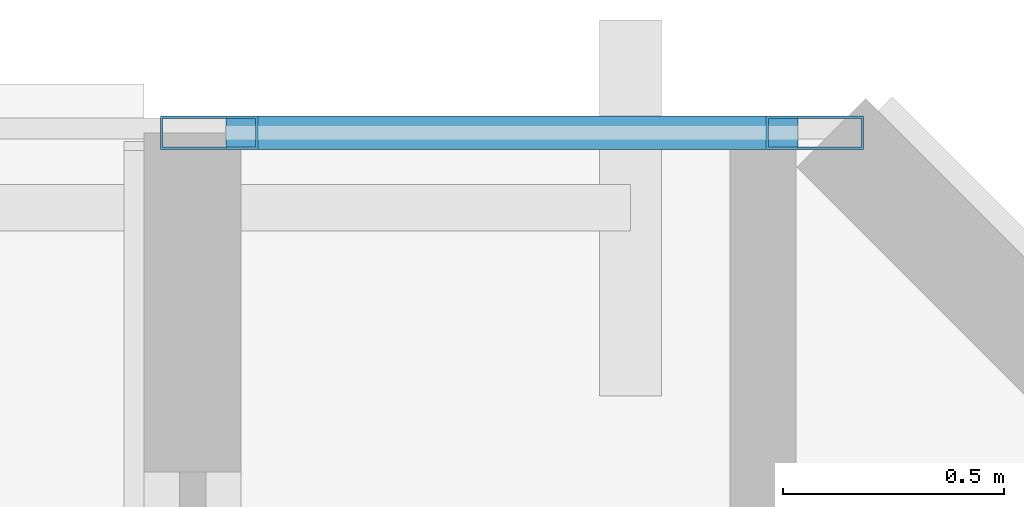
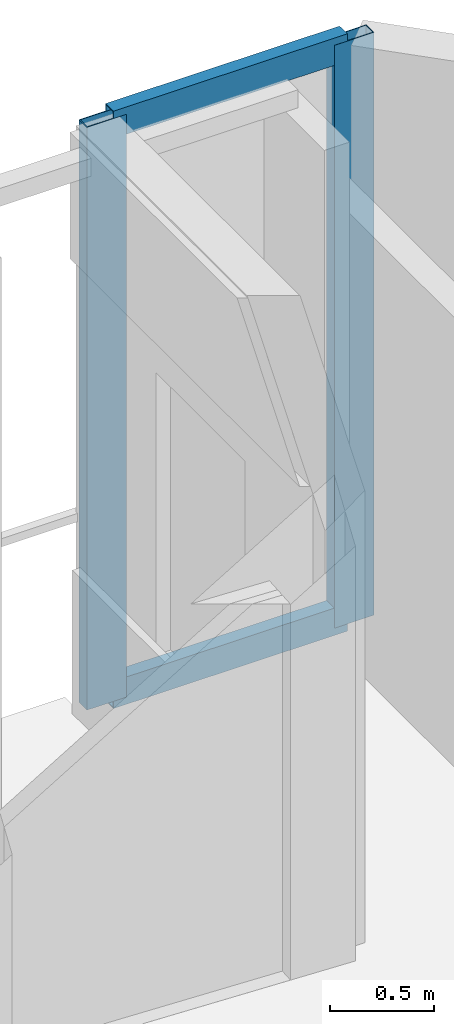
# One storey, part 18 of 31: 4 members, 1 element without a shape of its own.
"""IFC4 building model written with IfcOpenShell, lengths in metres."""

import ifcopenshell
import ifcopenshell.guid

model = None  # the IFC model being written
_history = None  # IfcOwnerHistory: only IFC2X3 demands one
_inside = {}  # id of a spatial element -> (the spatial element, [elements in it])
_under = {}  # id of a project, library or spatial element -> (it, [spatial elements below it])
_declared = {}  # id of a project -> (the project, [libraries it declares])
_typed = {}  # id of a type object -> (the type object, [elements of that type])
_made_of = {}  # id of a material, layer set ... -> (it, [elements and type objects made of it])


def new_model(schema):
    """Start an empty IFC model of exactly this schema.

    Asked for "IFC4X3", IfcOpenShell would pick the latest addendum, in which some entities
    have other attributes; the version numbers below select the first issue.
    IFC2X3 requires an IfcOwnerHistory on every rooted entity: one is made here for all.
    """
    global model, _history
    if schema == "IFC4X3":
        model = ifcopenshell.file(schema_version=(4, 3, 0, 0))
    else:
        model = ifcopenshell.file(schema=schema)
    _inside.clear()
    _under.clear()
    _declared.clear()
    _typed.clear()
    _made_of.clear()
    _history = None
    if model.schema == "IFC2X3":
        org = make("IfcOrganization", Name="unknown")
        user = make(
            "IfcPersonAndOrganization",
            ThePerson=make("IfcPerson", FamilyName="unknown"),
            TheOrganization=org,
        )
        app = make(
            "IfcApplication",
            ApplicationDeveloper=org,
            Version="unknown",
            ApplicationFullName="unknown",
            ApplicationIdentifier="unknown",
        )
        _history = make(
            "IfcOwnerHistory",
            OwningUser=user,
            OwningApplication=app,
            ChangeAction="ADDED",
            CreationDate=0,
        )
    return model


def make(cls, **values):
    """One entity of the class cls with the attributes given. An attribute that is None is left unset."""
    return model.create_entity(
        cls, **{name: value for name, value in values.items() if value is not None}
    )


def rooted(cls, **values):
    """An entity with a GlobalId (a new one), such as an element, a storey or a relation."""
    return make(cls, GlobalId=ifcopenshell.guid.new(), OwnerHistory=_history, **values)


def si_unit(unit_type, name, prefix=None):
    """IfcSIUnit, for example si_unit("LENGTHUNIT", "METRE", prefix="MILLI")."""
    return make("IfcSIUnit", UnitType=unit_type, Prefix=prefix, Name=name)


def assignment(units):
    """IfcUnitAssignment: the units of a project."""
    return None if units is None else make("IfcUnitAssignment", Units=units)


def point(xyz):
    """IfcCartesianPoint."""
    return None if xyz is None else make("IfcCartesianPoint", Coordinates=xyz)


def direction(xyz):
    """IfcDirection."""
    return None if xyz is None else make("IfcDirection", DirectionRatios=xyz)


def frame(location, z_axis=None, x_axis=None):
    """IfcAxis2Placement3D, a coordinate frame: its origin and axes. An axis left out is left unset."""
    return make(
        "IfcAxis2Placement3D",
        Location=point(location),
        Axis=direction(z_axis),
        RefDirection=direction(x_axis),
    )


def frame_2d(location, x_axis=None):
    """IfcAxis2Placement2D, a coordinate frame in the plane: its origin and x axis."""
    return make(
        "IfcAxis2Placement2D", Location=point(location), RefDirection=direction(x_axis)
    )


def origin():
    """The frame at (0, 0, 0) with its axes left unset."""
    return frame((0.0, 0.0, 0.0))


def origin_2d():
    """The frame at (0, 0) in the plane with its x axis left unset."""
    return frame_2d((0.0, 0.0))


def place(relative_to, where):
    """IfcLocalPlacement: puts the frame where relative to a parent placement (None: the world)."""
    return make(
        "IfcLocalPlacement", PlacementRelTo=relative_to, RelativePlacement=where
    )


def context(
    kind, dimensions, precision=None, world=None, true_north=None, identifier=None
):
    """IfcGeometricRepresentationContext, for example the 3D "Model" context."""
    return make(
        "IfcGeometricRepresentationContext",
        ContextIdentifier=identifier,
        ContextType=kind,
        CoordinateSpaceDimension=dimensions,
        Precision=precision,
        WorldCoordinateSystem=world,
        TrueNorth=true_north,
    )


def subcontext(parent, identifier, kind, view, scale=None):
    """IfcGeometricRepresentationSubContext, for example "Body" below "Model"."""
    return make(
        "IfcGeometricRepresentationSubContext",
        ContextIdentifier=identifier,
        ContextType=kind,
        ParentContext=parent,
        TargetScale=scale,
        TargetView=view,
    )


def project(units=None, contexts=None):
    """IfcProject with its units and contexts."""
    return rooted(
        "IfcProject",
        Name="project",
        RepresentationContexts=contexts,
        UnitsInContext=assignment(units),
    )


def spatial(cls, under=None, at=None, **own):
    """A site, building, storey or space (cls), placed at a placement, below another one or the project."""
    s = rooted(cls, ObjectPlacement=at, **own)
    if under is not None:
        _under.setdefault(under.id(), (under, []))[1].append(s)
    return s


def profile(cls, at=None, kind="AREA", **sizes):
    """A parametric profile (cls). Its sizes go by their IFC names, for example OverallWidth=200.0."""
    return make(cls, ProfileType=kind, Position=at, **sizes)


def hollow_rectangle(**sizes):
    """IfcRectangleHollowProfileDef."""
    return profile("IfcRectangleHollowProfileDef", **sizes)


def extrude(swept, where, along, depth):
    """IfcExtrudedAreaSolid: the profile swept, set in the frame where, extruded along a direction by depth."""
    return make(
        "IfcExtrudedAreaSolid",
        SweptArea=swept,
        Position=where,
        ExtrudedDirection=direction(along),
        Depth=depth,
    )


def shape(context_of_items, identifier, shape_type, items):
    """IfcShapeRepresentation: the items that make up one representation, for example the "Body"."""
    return make(
        "IfcShapeRepresentation",
        ContextOfItems=context_of_items,
        RepresentationIdentifier=identifier,
        RepresentationType=shape_type,
        Items=items,
    )


def material(Name=None, Category=None):
    """IfcMaterial."""
    return make("IfcMaterial", Name=Name, Category=Category)


def layer(
    of_material, thickness, ventilated=None, Name=None, Category=None, Priority=None
):
    """IfcMaterialLayer: one layer of a wall or slab, of a material (None: an air gap)."""
    return make(
        "IfcMaterialLayer",
        Material=of_material,
        LayerThickness=thickness,
        IsVentilated=ventilated,
        Name=Name,
        Category=Category,
        Priority=Priority,
    )


def layer_set(layers, Name=None):
    """IfcMaterialLayerSet."""
    return make("IfcMaterialLayerSet", MaterialLayers=layers, LayerSetName=Name)


def material_profile(
    of_material, cross_section, Name=None, Category=None, Priority=None
):
    """IfcMaterialProfile: a cross section and its material."""
    return make(
        "IfcMaterialProfile",
        Name=Name,
        Material=of_material,
        Profile=cross_section,
        Priority=Priority,
        Category=Category,
    )


def profile_set(profiles, Name=None, composite=None):
    """IfcMaterialProfileSet."""
    return make(
        "IfcMaterialProfileSet",
        Name=Name,
        MaterialProfiles=profiles,
        CompositeProfile=composite,
    )


def made_of(thing, what):
    """Note that an element or type object is made of a material, layer set ...; save() writes the relation."""
    if what is not None:
        _made_of.setdefault(what.id(), (what, []))[1].append(thing)
    return thing


def type_object(cls, material=None, **own):
    """A type object (cls), such as IfcWallType, which elements share."""
    return made_of(rooted(cls, **own), material)


def element(
    cls,
    number,
    at=None,
    inside=None,
    cuts=None,
    type_object=None,
    material=None,
    context=None,
    identifier="Body",
    shape_type=None,
    held_by="IfcProductDefinitionShape",
    body=None,
    shapes=None,
    **own,
):
    """One element of the class cls, such as IfcWall. Its Tag is "e" and its number.

    at: its placement. inside: the storey or other place that contains it. cuts: it is an
    opening in that element (IfcRelVoidsElement). A single representation is given by context,
    identifier, shape_type and body (its items); several are given by shapes. held_by: the class
    of the entity that holds the representations. save() writes the other relations.
    """
    e = rooted(cls, Tag="e%d" % number, ObjectPlacement=at, **own)
    if body is not None:
        shapes = [shape(context, identifier, shape_type, body)]
    if shapes is not None:
        e.Representation = make(held_by, Representations=shapes)
    if inside is not None:
        _inside.setdefault(inside.id(), (inside, []))[1].append(e)
    if cuts is not None:
        rooted(
            "IfcRelVoidsElement", RelatingBuildingElement=cuts, RelatedOpeningElement=e
        )
    if type_object is not None:
        _typed.setdefault(type_object.id(), (type_object, []))[1].append(e)
    return made_of(e, material)


def aggregate(whole, parts):
    """IfcRelAggregates: a whole, such as a stair, and the parts it consists of."""
    return rooted("IfcRelAggregates", RelatingObject=whole, RelatedObjects=parts)


def save(model, path):
    """Write the relations noted so far, then the file.

    IfcRelAggregates (storeys below a building ...), IfcRelContainedInSpatialStructure (elements
    in a storey), IfcRelDefinesByType, IfcRelAssociatesMaterial and IfcRelDeclares: one each for
    every whole, place, type object, material and project.
    """
    for whole, parts in _under.values():
        aggregate(whole, parts)
    for where, things in _inside.values():
        rooted(
            "IfcRelContainedInSpatialStructure",
            RelatedElements=things,
            RelatingStructure=where,
        )
    for kind, things in _typed.values():
        rooted("IfcRelDefinesByType", RelatedObjects=things, RelatingType=kind)
    for what, things in _made_of.values():
        rooted("IfcRelAssociatesMaterial", RelatedObjects=things, RelatingMaterial=what)
    for by, libraries in _declared.values():
        rooted("IfcRelDeclares", RelatingContext=by, RelatedDefinitions=libraries)
    model.write(path)


model = new_model("IFC4")

# Units and contexts
model_context = context("Model", 3, precision=1e-05, world=origin(), true_north=direction((0.0, 1.0)))
body_context = subcontext(model_context, "Body", "Model", "MODEL_VIEW")
ifc_project = project(units=[si_unit("LENGTHUNIT", "METRE"), si_unit("AREAUNIT", "SQUARE_METRE"), si_unit("VOLUMEUNIT", "CUBIC_METRE"), si_unit("PLANEANGLEUNIT", "RADIAN"), si_unit("MASSUNIT", "GRAM", prefix="KILO")], contexts=[model_context])

# Site, building, storey
site_placement = place(None, origin())
site = spatial("IfcSite", under=ifc_project, at=site_placement, CompositionType="ELEMENT")
building_placement = place(site_placement, origin())
building = spatial("IfcBuilding", under=site, at=building_placement, Name="Tanjung Sevakor Pilgrim Tower", CompositionType="ELEMENT")
storey_placement = place(building_placement, frame((0.0, 0.0, 208.22998046875)))
storey = spatial("IfcBuildingStorey", under=building, at=storey_placement, Name="L58", CompositionType="ELEMENT", Elevation=208.22998046875)

# Curtain wall, members
ifc_material_1 = material(Name="Aluminium 6063-T6 and Low-E Glass", Category="aluminium")
ifc_layer = layer(ifc_material_1, 0.199951171875)
ifc_layer_set = layer_set([ifc_layer], Name="CW-SYS-PRAY")
curtain_wall_type = type_object("IfcCurtainWallType", Name="CW-SYS-PRAY", PredefinedType="NOTDEFINED", material=ifc_layer_set)
curtain_wall_placement = place(storey_placement, origin())
curtain_wall = element("IfcCurtainWall", 1, at=curtain_wall_placement, inside=storey, type_object=curtain_wall_type, Name="L58 Curtain Wall CW-PRY-L58-18", PredefinedType="NOTDEFINED")
ifc_material_2 = material(Name="Aluminium 6063-T6", Category="aluminium")
ifc_material_profile_1 = material_profile(ifc_material_2, hollow_rectangle(XDim=0.074951171875, YDim=0.219970703125, WallThickness=0.0048828125, at=origin_2d()))
ifc_profile_set_1 = profile_set([ifc_material_profile_1], Name="Aluminium 6063-T6")
member_type_1 = type_object("IfcMemberType", Name="TYPE-CWM-2", PredefinedType="MULLION", material=ifc_profile_set_1)
member_1_placement = place(storey_placement, frame((95.31689453125, 55.0400390625, 0.0), z_axis=(0.0, 0.0, 1.0), x_axis=(0.0, -1.0, 0.0)))
member_1 = element("IfcMember", 2, at=member_1_placement, type_object=member_type_1, Name="CW-PRY mullion 1", PredefinedType="MULLION", context=body_context, shape_type="SweptSolid", body=[
    extrude(hollow_rectangle(XDim=0.074951171875, YDim=0.219970703125, WallThickness=0.0048828125, at=origin_2d()), origin(), (0.0, 0.0, 1.0), 3.409912109375),
])
member_2_placement = place(storey_placement, frame((93.947509765625, 55.0400390625, 0.0), z_axis=(0.0, 0.0, 1.0), x_axis=(0.0, -1.0, 0.0)))
member_2 = element("IfcMember", 3, at=member_2_placement, type_object=member_type_1, Name="CW-PRY mullion 2", PredefinedType="MULLION", context=body_context, shape_type="SweptSolid", body=[
    extrude(hollow_rectangle(XDim=0.074951171875, YDim=0.219970703125, WallThickness=0.0048828125, at=origin_2d()), origin(), (0.0, 0.0, 1.0), 3.409912109375),
])
ifc_material_3 = material(Name="Aluminium 6063-T6", Category="aluminium")
ifc_material_profile_2 = material_profile(ifc_material_3, hollow_rectangle(XDim=0.074951171875, YDim=0.159912109375, WallThickness=0.00439453125, at=origin_2d()))
ifc_profile_set_2 = profile_set([ifc_material_profile_2], Name="Aluminium 6063-T6")
member_type_2 = type_object("IfcMemberType", Name="TYPE-CWT-2", PredefinedType="USERDEFINED", material=ifc_profile_set_2)
member_3_placement = place(storey_placement, frame((95.279296875, 55.0400390625, 0.03759765625), z_axis=(-1.0, 0.0, 0.0), x_axis=(0.0, -1.0, 0.0)))
member_3 = element("IfcMember", 4, at=member_3_placement, type_object=member_type_2, Name="CW-PRY transom 1.1", ObjectType="TRANSOM", PredefinedType="USERDEFINED", context=body_context, shape_type="SweptSolid", body=[
    extrude(hollow_rectangle(XDim=0.074951171875, YDim=0.159912109375, WallThickness=0.00439453125, at=origin_2d()), origin(), (0.0, 0.0, 1.0), 1.294189453125),
])
member_4_placement = place(storey_placement, frame((95.279296875, 55.0400390625, 3.37255859375), z_axis=(-1.0, 0.0, 0.0), x_axis=(0.0, -1.0, 0.0)))
member_4 = element("IfcMember", 5, at=member_4_placement, type_object=member_type_2, Name="CW-PRY transom 1.2", ObjectType="TRANSOM", PredefinedType="USERDEFINED", context=body_context, shape_type="SweptSolid", body=[
    extrude(hollow_rectangle(XDim=0.074951171875, YDim=0.159912109375, WallThickness=0.00439453125, at=origin_2d()), origin(), (0.0, 0.0, 1.0), 1.294189453125),
])
aggregate(curtain_wall, [member_1, member_2, member_3, member_4])

save(model, "model.ifc")
